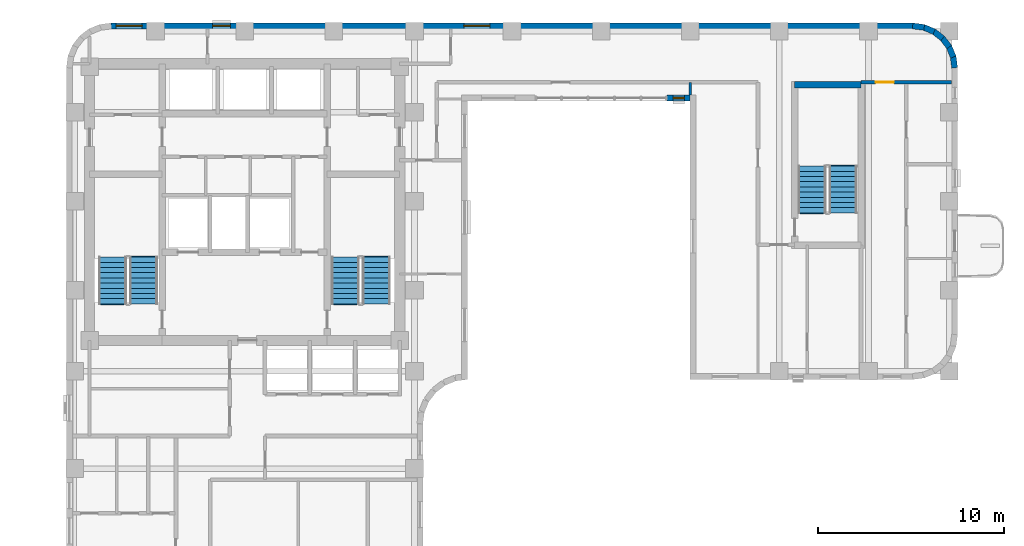
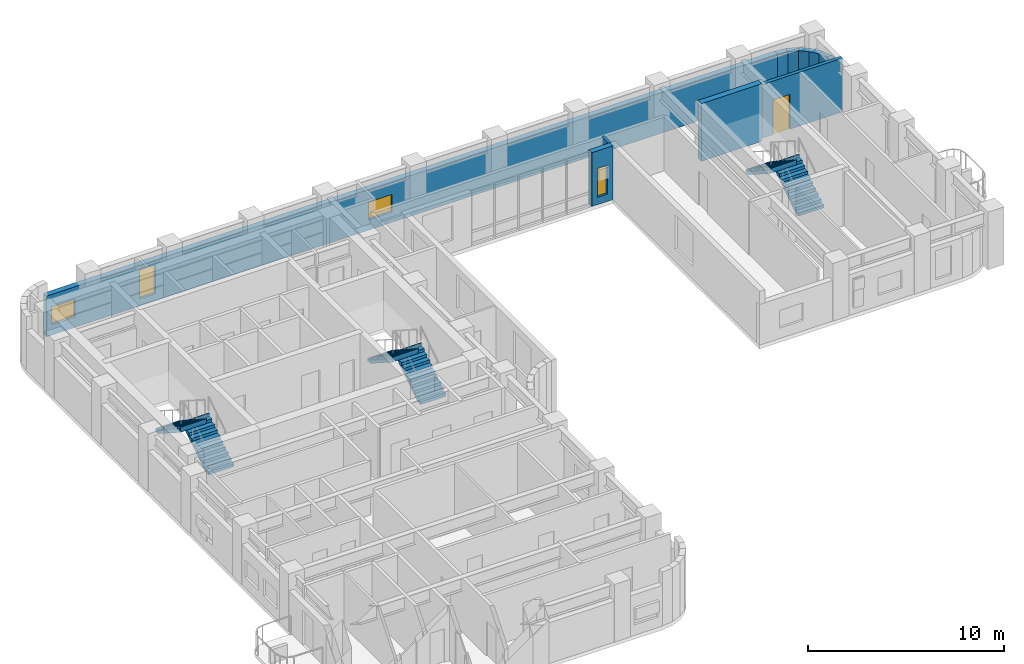
# One storey, part 8 of 11: 11 walls, 6 stair flights, 4 windows, 1 door, 5 openings, 3 elements without a shape of their own.
"""IFC4 building model written with IfcOpenShell, lengths in metres."""

from ifc_helpers import new_model, si_unit, direction, frame, frame_2d, origin, place, context, subcontext, project, spatial, polyline, rectangle, outline, extrude, material, layer, layer_set, type_object, element, fill, aggregate, save


model = new_model("IFC4")

# Units and contexts
model_context = context("Model", 3, precision=1e-05, world=origin(), true_north=direction((0.0, 1.0)))
body_context = subcontext(model_context, "Body", "Model", "MODEL_VIEW")
ifc_project = project(units=[si_unit("LENGTHUNIT", "METRE"), si_unit("AREAUNIT", "SQUARE_METRE"), si_unit("VOLUMEUNIT", "CUBIC_METRE"), si_unit("PLANEANGLEUNIT", "RADIAN"), si_unit("MASSUNIT", "GRAM", prefix="KILO")], contexts=[model_context])

# Site, building, storey
site_placement = place(None, origin())
site = spatial("IfcSite", under=ifc_project, at=site_placement, CompositionType="ELEMENT")
building_placement = place(site_placement, origin())
building = spatial("IfcBuilding", under=site, at=building_placement, Name="Orvandelia Arch Residences", CompositionType="ELEMENT")
storey_placement = place(building_placement, frame((0.0, 0.0, 175.60009765625)))
storey = spatial("IfcBuildingStorey", under=building, at=storey_placement, Name="L46", CompositionType="ELEMENT", Elevation=175.60009765625)

# Wall
ifc_material_1 = material(Name="Concrete C50/60", Category="concrete")
ifc_layer_1 = layer(ifc_material_1, 0.35009765625, Name="Concrete C50/60", Category="concrete")
ifc_layer_set_1 = layer_set([ifc_layer_1], Name="Concrete C50/60")
wall_type_1 = type_object("IfcWallType", Name="WL-CORE-350", PredefinedType="SHEAR", material=ifc_layer_set_1)
wall_1_placement = place(storey_placement, frame((44.02001953125, 44.659912109375, 0.0), z_axis=(0.0, 0.0, 1.0), x_axis=(1.0, 0.0, 0.0)))
element("IfcWall", 1, at=wall_1_placement, inside=storey, type_object=wall_type_1, Name="East Stair Core Shear Wall L46-N", PredefinedType="SHEAR", context=body_context, shape_type="SweptSolid", body=[
    extrude(rectangle(XDim=3.580078125, YDim=0.35009765625, at=frame_2d((1.7900390625, 0.0))), origin(), (0.0, 0.0, 1.0), 3.599853515625),
])

# Wall, opening, door
ifc_material_2 = material(Name="Fire-Rated Corridor Partition")
ifc_layer_2 = layer(ifc_material_2, 0.199951171875, Name="Fire-Rated Corridor Partition")
ifc_layer_set_2 = layer_set([ifc_layer_2], Name="Fire-Rated Corridor Partition")
wall_type_2 = type_object("IfcWallType", Name="WL-CORR-200", PredefinedType="PARTITIONING", material=ifc_layer_set_2)
wall_2_placement = place(storey_placement, frame((47.60009765625, 44.800048828125, 0.0), z_axis=(0.0, 0.0, 1.0), x_axis=(1.0, 0.0, 0.0)))
wall_2 = element("IfcWall", 2, at=wall_2_placement, inside=storey, type_object=wall_type_2, Name="Interior Partition Wall WL-L46-ENP-S2", PredefinedType="PARTITIONING", context=body_context, shape_type="SweptSolid", body=[
    extrude(rectangle(XDim=4.8798828125, YDim=0.199951171875, at=frame_2d((2.43994140625, 0.0))), origin(), (0.0, 0.0, 1.0), 3.35986328125),
])
opening_1_placement = place(wall_2_placement, frame((0.79150390625, 0.0, 0.0)))
opening_1 = element("IfcOpeningElement", 3, at=opening_1_placement, cuts=wall_2, Name="Opening D1", PredefinedType="OPENING", context=body_context, shape_type="SweptSolid", body=[
    extrude(rectangle(XDim=0.97998046875, YDim=2.179931640625, at=frame_2d((0.489990234375, 1.08984375))), frame((0.0, 0.10986328125, 0.0), z_axis=(0.0, -1.0, 0.0), x_axis=(1.0, 0.0, 0.0)), (0.0, 0.0, 1.0), 0.219970703125),
])
ifc_material_3 = material(Name="Solid-Core Timber Acoustic Fire Door", Category="wood")
door_type = type_object("IfcDoorType", Name="DR-ENT-980", OperationType="NOTDEFINED", PredefinedType="DOOR", material=ifc_material_3)
door_placement = place(opening_1_placement, origin())
door = element("IfcDoor", 4, at=door_placement, inside=storey, type_object=door_type, Name="Unit L46-05 Entrance Door", OperationType="SINGLE_SWING_LEFT", OverallHeight=2.179931640625, OverallWidth=0.97998046875, PredefinedType="DOOR", context=body_context, shape_type="SweptSolid", body=[
    extrude(rectangle(XDim=0.97998046875, YDim=2.179931640625, at=frame_2d((0.489990234375, 1.08984375))), frame((0.0, 0.02490234375, 0.0), z_axis=(0.0, -1.0, 0.0), x_axis=(1.0, 0.0, 0.0)), (0.0, 0.0, 1.0), 0.050048828125),
])
fill(opening_1, door)

# Wall, openings, windows
ifc_material_4 = material(Name="Precast concrete C40/50", Category="concrete")
ifc_layer_3 = layer(ifc_material_4, 0.320068359375, Name="Precast concrete C40/50", Category="concrete")
ifc_layer_set_3 = layer_set([ifc_layer_3], Name="Precast concrete C40/50")
wall_type_3 = type_object("IfcWallType", Name="WL-EXT-STONE-320", PredefinedType="STANDARD", material=ifc_layer_set_3)
wall_3_placement = place(storey_placement, frame((7.199951171875, 47.840087890625, 0.0), z_axis=(0.0, 0.0, 1.0), x_axis=(1.0, 0.0, 0.0)))
wall_3 = element("IfcWall", 5, at=wall_3_placement, inside=storey, type_object=wall_type_3, Name="Coral-Limestone Precast Facade Wall L46-007", PredefinedType="STANDARD", context=body_context, shape_type="SweptSolid", body=[
    extrude(rectangle(XDim=43.199951171875, YDim=0.320068359375, at=frame_2d((21.60009765625, 0.0))), origin(), (0.0, 0.0, 1.0), 2.539794921875),
])
opening_2_placement = place(wall_3_placement, frame((19.00244140625, 0.0, 0.64990234375)))
opening_2 = element("IfcOpeningElement", 6, at=opening_2_placement, cuts=wall_3, Name="Opening W10", PredefinedType="OPENING", context=body_context, shape_type="SweptSolid", body=[
    extrude(rectangle(XDim=1.39990234375, YDim=1.10009765625, at=frame_2d((0.699951171875, 0.550048828125))), frame((0.0, 0.169921875, 0.0), z_axis=(0.0, -1.0, 0.0), x_axis=(1.0, 0.0, 0.0)), (0.0, 0.0, 1.0), 0.340087890625),
])
opening_3_placement = place(wall_3_placement, frame((0.282470703125, 0.0, 0.64990234375)))
opening_3 = element("IfcOpeningElement", 7, at=opening_3_placement, cuts=wall_3, Name="Opening W10", PredefinedType="OPENING", context=body_context, shape_type="SweptSolid", body=[
    extrude(rectangle(XDim=1.39990234375, YDim=1.10009765625, at=frame_2d((0.699951171875, 0.550048828125))), frame((0.0, 0.169921875, 0.0), z_axis=(0.0, -1.0, 0.0), x_axis=(1.0, 0.0, 0.0)), (0.0, 0.0, 1.0), 0.340087890625),
])
opening_4_placement = place(wall_3_placement, frame((5.4775390625, 0.0, 0.449951171875)))
opening_4 = element("IfcOpeningElement", 8, at=opening_4_placement, cuts=wall_3, Name="Opening W4", PredefinedType="OPENING", context=body_context, shape_type="SweptSolid", body=[
    extrude(rectangle(XDim=0.949951171875, YDim=1.800048828125, at=frame_2d((0.47509765625, 0.89990234375))), frame((0.0, 0.169921875, 0.0), z_axis=(0.0, -1.0, 0.0), x_axis=(1.0, 0.0, 0.0)), (0.0, 0.0, 1.0), 0.340087890625),
])
ifc_material_5 = material(Name="Tempered Low-E Insulated Glazing", Category="glass")
window_type_1 = type_object("IfcWindowType", Name="WIN-CLR-1400x1100", PartitioningType="SINGLE_PANEL", PredefinedType="WINDOW", material=ifc_material_5)
window_1_placement = place(opening_2_placement, origin())
window_1 = element("IfcWindow", 9, at=window_1_placement, inside=storey, type_object=window_type_1, Name="Recessed Punched Window L46-001", OverallHeight=1.10009765625, OverallWidth=1.39990234375, PartitioningType="SINGLE_PANEL", PredefinedType="WINDOW", context=body_context, shape_type="SweptSolid", body=[
    extrude(rectangle(XDim=1.39990234375, YDim=1.10009765625, at=frame_2d((0.699951171875, 0.550048828125))), frame((0.0, 0.030029296875, 0.0), z_axis=(0.0, -1.0, 0.0), x_axis=(1.0, 0.0, 0.0)), (0.0, 0.0, 1.0), 0.06005859375),
])
fill(opening_2, window_1)
window_2_placement = place(opening_3_placement, origin())
window_2 = element("IfcWindow", 10, at=window_2_placement, inside=storey, type_object=window_type_1, Name="Recessed Punched Window L46-002", OverallHeight=1.10009765625, OverallWidth=1.39990234375, PartitioningType="SINGLE_PANEL", PredefinedType="WINDOW", context=body_context, shape_type="SweptSolid", body=[
    extrude(rectangle(XDim=1.39990234375, YDim=1.10009765625, at=frame_2d((0.699951171875, 0.550048828125))), frame((0.0, 0.030029296875, 0.0), z_axis=(0.0, -1.0, 0.0), x_axis=(1.0, 0.0, 0.0)), (0.0, 0.0, 1.0), 0.06005859375),
])
fill(opening_3, window_2)
window_type_2 = type_object("IfcWindowType", Name="WIN-RES-0950x1800", PartitioningType="SINGLE_PANEL", PredefinedType="WINDOW", material=ifc_material_5)
window_3_placement = place(opening_4_placement, origin())
window_3 = element("IfcWindow", 11, at=window_3_placement, inside=storey, type_object=window_type_2, Name="Recessed Punched Window L46-003", OverallHeight=1.800048828125, OverallWidth=0.949951171875, PartitioningType="SINGLE_PANEL", PredefinedType="WINDOW", context=body_context, shape_type="SweptSolid", body=[
    extrude(rectangle(XDim=0.949951171875, YDim=1.800048828125, at=frame_2d((0.47509765625, 0.89990234375))), frame((0.0, 0.030029296875, 0.0), z_axis=(0.0, -1.0, 0.0), x_axis=(1.0, 0.0, 0.0)), (0.0, 0.0, 1.0), 0.06005859375),
])
fill(opening_4, window_3)

# Walls
for number, where, z_axis, x_axis, name in (
    (12, (50.379150390625, 47.84130859375, 0.0), (0.0, 0.0, 1.0), (0.9914410257, -0.130555323746, 0.0), "Coral-Limestone Precast Facade Wall L46-008"),
    (13, (50.9599609375, 47.7705078125, 0.0), (0.0, 0.0, 1.0), (0.92389335771, -0.382650053678, 0.0), "Coral-Limestone Precast Facade Wall L46-009"),
    (14, (51.502685546875, 47.551513671875, 0.0), (0.0, 0.0, 1.0), (0.793405610854, -0.608693302629, 0.0), "Coral-Limestone Precast Facade Wall L46-010"),
    (15, (51.97021484375, 47.19970703125, 0.0), (0.0, 0.0, 1.0), (0.608693302629, -0.793405610854, 0.0), "Coral-Limestone Precast Facade Wall L46-011"),
    (16, (52.330810546875, 46.73876953125, 0.0), (0.0, 0.0, 1.0), (0.382317370307, -0.924031075431, 0.0), "Coral-Limestone Precast Facade Wall L46-012"),
    (17, (52.5595703125, 46.2001953125, 0.0), (0.0, 0.0, 1.0), (0.130555323746, -0.9914410257, 0.0), "Coral-Limestone Precast Facade Wall L46-013"),
):
    element("IfcWall", number, at=place(storey_placement, frame(where, z_axis=z_axis, x_axis=x_axis)), inside=storey, type_object=wall_type_3, Name=name, PredefinedType="STANDARD", context=body_context, shape_type="SweptSolid", body=[
        extrude(rectangle(XDim=0.62646484375, YDim=0.320068359375, at=frame_2d((0.313232421875, 0.0))), origin(), (0.0, 0.0, 1.0), 2.539794921875),
    ])

# Wall, opening, window
wall_4_placement = place(storey_placement, frame((38.39990234375, 43.9599609375, 0.0), z_axis=(0.0, 0.0, 1.0), x_axis=(-1.0, 0.0, 0.0)))
wall_4 = element("IfcWall", 18, at=wall_4_placement, inside=storey, type_object=wall_type_3, Name="Coral-Limestone Precast Facade Wall L46-023", PredefinedType="STANDARD", context=body_context, shape_type="SweptSolid", body=[
    extrude(rectangle(XDim=1.239990234375, YDim=0.320068359375, at=frame_2d((0.6201171875, 0.0))), origin(), (0.0, 0.0, 1.0), 3.35986328125),
])
opening_5_placement = place(wall_4_placement, frame((0.320068359375, 0.0, 0.449951171875)))
opening_5 = element("IfcOpeningElement", 19, at=opening_5_placement, cuts=wall_4, Name="Opening W12", PredefinedType="OPENING", context=body_context, shape_type="SweptSolid", body=[
    extrude(rectangle(XDim=0.60009765625, YDim=1.800048828125, at=frame_2d((0.300048828125, 0.89990234375))), frame((0.0, 0.169921875, 0.0), z_axis=(0.0, -1.0, 0.0), x_axis=(1.0, 0.0, 0.0)), (0.0, 0.0, 1.0), 0.340087890625),
])
window_type_3 = type_object("IfcWindowType", Name="WIN-LAN-0600x1800", PartitioningType="SINGLE_PANEL", PredefinedType="WINDOW", material=ifc_material_5)
window_4_placement = place(opening_5_placement, origin())
window_4 = element("IfcWindow", 20, at=window_4_placement, inside=storey, type_object=window_type_3, Name="Recessed Punched Window L46-012", OverallHeight=1.800048828125, OverallWidth=0.60009765625, PartitioningType="SINGLE_PANEL", PredefinedType="WINDOW", context=body_context, shape_type="SweptSolid", body=[
    extrude(rectangle(XDim=0.60009765625, YDim=1.800048828125, at=frame_2d((0.300048828125, 0.89990234375))), frame((0.0, 0.030029296875, 0.0), z_axis=(0.0, -1.0, 0.0), x_axis=(1.0, 0.0, 0.0)), (0.0, 0.0, 1.0), 0.06005859375),
])
fill(opening_5, window_4)

# Wall
ifc_material_6 = material(Name="Acoustic Gypsum Stud Partition")
ifc_layer_4 = layer(ifc_material_6, 0.14990234375, Name="Acoustic Gypsum Stud Partition")
ifc_layer_set_4 = layer_set([ifc_layer_4], Name="Acoustic Gypsum Stud Partition")
wall_type_4 = type_object("IfcWallType", Name="WL-PART-150", PredefinedType="PARTITIONING", material=ifc_layer_set_4)
wall_5_placement = place(storey_placement, frame((38.39990234375, 44.1201171875, 0.0), z_axis=(0.0, 0.0, 1.0), x_axis=(0.0, 1.0, 0.0)))
element("IfcWall", 21, at=wall_5_placement, inside=storey, type_object=wall_type_4, Name="Interior Partition Wall WL-L46-VPBRG-E", PredefinedType="PARTITIONING", context=body_context, shape_type="SweptSolid", body=[
    extrude(rectangle(XDim=0.679931640625, YDim=0.14990234375, at=frame_2d((0.33984375, 0.0))), origin(), (0.0, 0.0, 1.0), 3.35986328125),
])

# Stair, stair flights
ifc_material_7 = material(Name="Concrete C40/50", Category="concrete")
stair_type = type_object("IfcStairType", Name="STAIR-RC-DOGLEG", PredefinedType="HALF_TURN_STAIR", material=ifc_material_7)
stair_1_placement = place(storey_placement, origin())
stair_1 = element("IfcStair", 22, at=stair_1_placement, inside=storey, type_object=stair_type, Name="L46 Protected Exit Stair ST-1", PredefinedType="HALF_TURN_STAIR")
stair_flight_type = type_object("IfcStairFlightType", Name="STFLT-RC-1520", PredefinedType="STRAIGHT", material=ifc_material_7)
stair_flight_1_placement = place(storey_placement, frame((8.9599609375, 32.8701171875, 0.0), z_axis=(0.0, 0.0, 1.0), x_axis=(0.0, 1.0, 0.0)))
stair_flight_1 = element("IfcStairFlight", 23, at=stair_flight_1_placement, type_object=stair_flight_type, Name="ST-1 flight 1", NumberOfRisers=10, NumberOfTreads=9, PredefinedType="STRAIGHT", RiserHeight=0.18, TreadLength=0.28, context=body_context, shape_type="SweptSolid", body=[
    extrude(outline(polyline([(0.0, 0.0), (0.0, 0.179931640625), (0.280029296875, 0.179931640625), (0.280029296875, 0.360107421875), (0.56005859375, 0.360107421875), (0.56005859375, 0.5400390625), (0.840087890625, 0.5400390625), (0.840087890625, 0.719970703125), (1.1201171875, 0.719970703125), (1.1201171875, 0.89990234375), (1.39990234375, 0.89990234375), (1.39990234375, 1.080078125), (1.679931640625, 1.080078125), (1.679931640625, 1.260009765625), (1.9599609375, 1.260009765625), (1.9599609375, 1.43994140625), (2.239990234375, 1.43994140625), (2.239990234375, 1.6201171875), (2.52001953125, 1.6201171875), (2.52001953125, 1.800048828125), (2.580078125, 1.800048828125), (2.580078125, 1.6201171875), (2.52001953125, 1.44189453125), (0.277099609375, 0.0), (0.0, 0.0)])), frame((0.0, 0.760009765625, 0.0), z_axis=(0.0, -1.0, 0.0), x_axis=(1.0, 0.0, 0.0)), (0.0, 0.0, 1.0), 1.52001953125),
])
stair_flight_2_placement = place(storey_placement, frame((7.2900390625, 35.389892578125, 1.7998046875), z_axis=(0.0, 0.0, 1.0), x_axis=(0.0, -1.0, 0.0)))
stair_flight_2 = element("IfcStairFlight", 24, at=stair_flight_2_placement, type_object=stair_flight_type, Name="ST-1 flight 2", NumberOfRisers=10, NumberOfTreads=9, PredefinedType="STRAIGHT", RiserHeight=0.18, TreadLength=0.28, context=body_context, shape_type="SweptSolid", body=[
    extrude(outline(polyline([(0.0, 0.0), (0.0, 0.179931640625), (0.280029296875, 0.179931640625), (0.280029296875, 0.360107421875), (0.56005859375, 0.360107421875), (0.56005859375, 0.5400390625), (0.840087890625, 0.5400390625), (0.840087890625, 0.719970703125), (1.1201171875, 0.719970703125), (1.1201171875, 0.89990234375), (1.39990234375, 0.89990234375), (1.39990234375, 1.080078125), (1.679931640625, 1.080078125), (1.679931640625, 1.260009765625), (1.9599609375, 1.260009765625), (1.9599609375, 1.43994140625), (2.239990234375, 1.43994140625), (2.239990234375, 1.6201171875), (2.52001953125, 1.6201171875), (2.52001953125, 1.800048828125), (2.580078125, 1.800048828125), (2.580078125, 1.6201171875), (2.52001953125, 1.44189453125), (0.277099609375, 0.0), (0.0, 0.0)])), frame((0.0, 0.760009765625, 0.0), z_axis=(0.0, -1.0, 0.0), x_axis=(1.0, 0.0, 0.0)), (0.0, 0.0, 1.0), 1.52001953125),
])
aggregate(stair_1, [stair_flight_1, stair_flight_2])

stair_2_placement = place(storey_placement, origin())
stair_2 = element("IfcStair", 25, at=stair_2_placement, inside=storey, type_object=stair_type, Name="L46 Protected Exit Stair ST-2", PredefinedType="HALF_TURN_STAIR")
stair_flight_3_placement = place(storey_placement, frame((21.489990234375, 32.8701171875, 0.0), z_axis=(0.0, 0.0, 1.0), x_axis=(0.0, 1.0, 0.0)))
stair_flight_3 = element("IfcStairFlight", 26, at=stair_flight_3_placement, type_object=stair_flight_type, Name="ST-2 flight 1", NumberOfRisers=10, NumberOfTreads=9, PredefinedType="STRAIGHT", RiserHeight=0.18, TreadLength=0.28, context=body_context, shape_type="SweptSolid", body=[
    extrude(outline(polyline([(0.0, 0.0), (0.0, 0.179931640625), (0.280029296875, 0.179931640625), (0.280029296875, 0.360107421875), (0.56005859375, 0.360107421875), (0.56005859375, 0.5400390625), (0.840087890625, 0.5400390625), (0.840087890625, 0.719970703125), (1.1201171875, 0.719970703125), (1.1201171875, 0.89990234375), (1.39990234375, 0.89990234375), (1.39990234375, 1.080078125), (1.679931640625, 1.080078125), (1.679931640625, 1.260009765625), (1.9599609375, 1.260009765625), (1.9599609375, 1.43994140625), (2.239990234375, 1.43994140625), (2.239990234375, 1.6201171875), (2.52001953125, 1.6201171875), (2.52001953125, 1.800048828125), (2.580078125, 1.800048828125), (2.580078125, 1.6201171875), (2.52001953125, 1.44189453125), (0.277099609375, 0.0), (0.0, 0.0)])), frame((0.0, 0.760009765625, 0.0), z_axis=(0.0, -1.0, 0.0), x_axis=(1.0, 0.0, 0.0)), (0.0, 0.0, 1.0), 1.52001953125),
])
stair_flight_4_placement = place(storey_placement, frame((19.820068359375, 35.389892578125, 1.7998046875), z_axis=(0.0, 0.0, 1.0), x_axis=(0.0, -1.0, 0.0)))
stair_flight_4 = element("IfcStairFlight", 27, at=stair_flight_4_placement, type_object=stair_flight_type, Name="ST-2 flight 2", NumberOfRisers=10, NumberOfTreads=9, PredefinedType="STRAIGHT", RiserHeight=0.18, TreadLength=0.28, context=body_context, shape_type="SweptSolid", body=[
    extrude(outline(polyline([(0.0, 0.0), (0.0, 0.179931640625), (0.280029296875, 0.179931640625), (0.280029296875, 0.360107421875), (0.56005859375, 0.360107421875), (0.56005859375, 0.5400390625), (0.840087890625, 0.5400390625), (0.840087890625, 0.719970703125), (1.1201171875, 0.719970703125), (1.1201171875, 0.89990234375), (1.39990234375, 0.89990234375), (1.39990234375, 1.080078125), (1.679931640625, 1.080078125), (1.679931640625, 1.260009765625), (1.9599609375, 1.260009765625), (1.9599609375, 1.43994140625), (2.239990234375, 1.43994140625), (2.239990234375, 1.6201171875), (2.52001953125, 1.6201171875), (2.52001953125, 1.800048828125), (2.580078125, 1.800048828125), (2.580078125, 1.6201171875), (2.52001953125, 1.44189453125), (0.277099609375, 0.0), (0.0, 0.0)])), frame((0.0, 0.760009765625, 0.0), z_axis=(0.0, -1.0, 0.0), x_axis=(1.0, 0.0, 0.0)), (0.0, 0.0, 1.0), 1.52001953125),
])
aggregate(stair_2, [stair_flight_3, stair_flight_4])

stair_3_placement = place(storey_placement, origin())
stair_3 = element("IfcStair", 28, at=stair_3_placement, inside=storey, type_object=stair_type, Name="L46 East Wing Exit Stair ST-3", PredefinedType="HALF_TURN_STAIR")
stair_flight_5_placement = place(storey_placement, frame((46.639892578125, 37.77001953125, 0.0), z_axis=(0.0, 0.0, 1.0), x_axis=(0.0, 1.0, 0.0)))
stair_flight_5 = element("IfcStairFlight", 29, at=stair_flight_5_placement, type_object=stair_flight_type, Name="ST-3 flight 1", NumberOfRisers=10, NumberOfTreads=9, PredefinedType="STRAIGHT", RiserHeight=0.18, TreadLength=0.28, context=body_context, shape_type="SweptSolid", body=[
    extrude(outline(polyline([(0.0, 0.0), (0.0, 0.179931640625), (0.280029296875, 0.179931640625), (0.280029296875, 0.360107421875), (0.56005859375, 0.360107421875), (0.56005859375, 0.5400390625), (0.840087890625, 0.5400390625), (0.840087890625, 0.719970703125), (1.1201171875, 0.719970703125), (1.1201171875, 0.89990234375), (1.39990234375, 0.89990234375), (1.39990234375, 1.080078125), (1.679931640625, 1.080078125), (1.679931640625, 1.260009765625), (1.9599609375, 1.260009765625), (1.9599609375, 1.43994140625), (2.239990234375, 1.43994140625), (2.239990234375, 1.6201171875), (2.52001953125, 1.6201171875), (2.52001953125, 1.800048828125), (2.580078125, 1.800048828125), (2.580078125, 1.6201171875), (2.52001953125, 1.44189453125), (0.277099609375, 0.0), (0.0, 0.0)])), frame((0.0, 0.760009765625, 0.0), z_axis=(0.0, -1.0, 0.0), x_axis=(1.0, 0.0, 0.0)), (0.0, 0.0, 1.0), 1.52001953125),
])
stair_flight_6_placement = place(storey_placement, frame((44.969970703125, 40.2900390625, 1.7998046875), z_axis=(0.0, 0.0, 1.0), x_axis=(0.0, -1.0, 0.0)))
stair_flight_6 = element("IfcStairFlight", 30, at=stair_flight_6_placement, type_object=stair_flight_type, Name="ST-3 flight 2", NumberOfRisers=10, NumberOfTreads=9, PredefinedType="STRAIGHT", RiserHeight=0.18, TreadLength=0.28, context=body_context, shape_type="SweptSolid", body=[
    extrude(outline(polyline([(0.0, 0.0), (0.0, 0.179931640625), (0.280029296875, 0.179931640625), (0.280029296875, 0.360107421875), (0.56005859375, 0.360107421875), (0.56005859375, 0.5400390625), (0.840087890625, 0.5400390625), (0.840087890625, 0.719970703125), (1.1201171875, 0.719970703125), (1.1201171875, 0.89990234375), (1.39990234375, 0.89990234375), (1.39990234375, 1.080078125), (1.679931640625, 1.080078125), (1.679931640625, 1.260009765625), (1.9599609375, 1.260009765625), (1.9599609375, 1.43994140625), (2.239990234375, 1.43994140625), (2.239990234375, 1.6201171875), (2.52001953125, 1.6201171875), (2.52001953125, 1.800048828125), (2.580078125, 1.800048828125), (2.580078125, 1.6201171875), (2.52001953125, 1.44189453125), (0.277099609375, 0.0), (0.0, 0.0)])), frame((0.0, 0.760009765625, 0.0), z_axis=(0.0, -1.0, 0.0), x_axis=(1.0, 0.0, 0.0)), (0.0, 0.0, 1.0), 1.52001953125),
])
aggregate(stair_3, [stair_flight_5, stair_flight_6])

save(model, "model.ifc")
